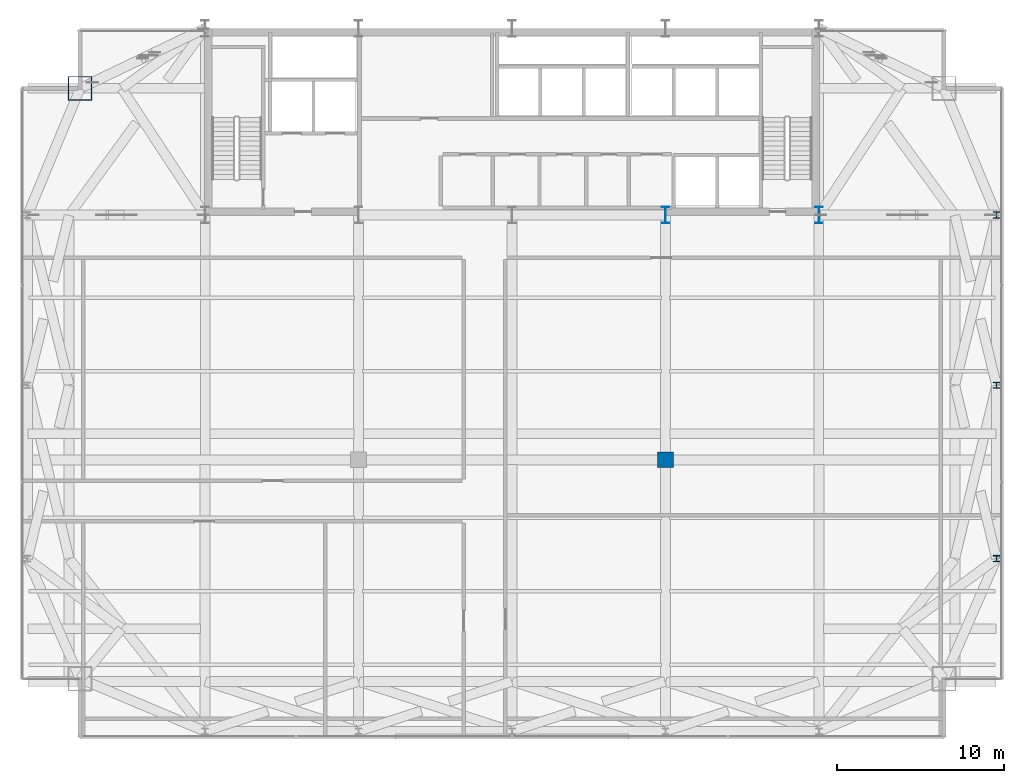
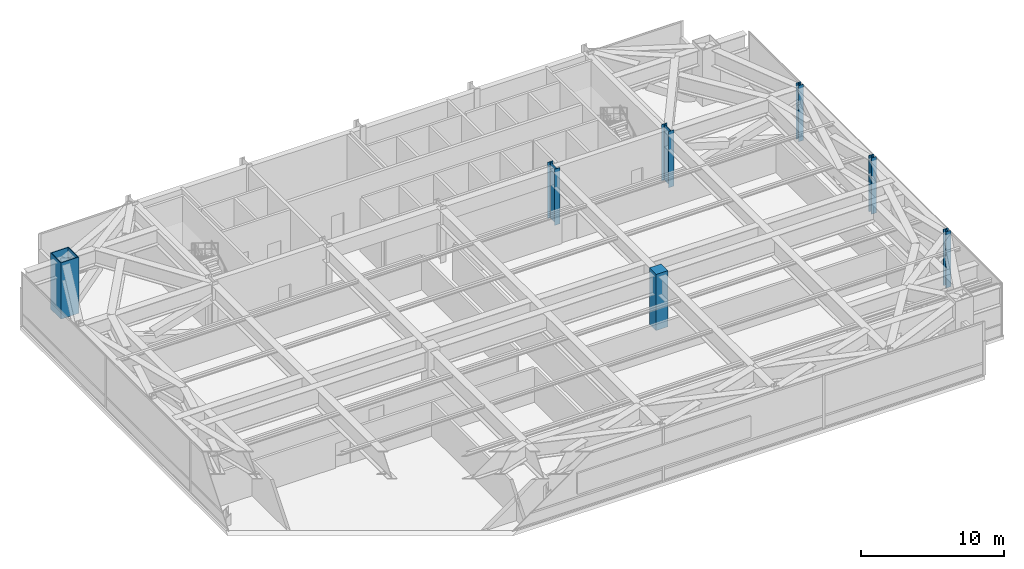
# One storey, part 2 of 32: 7 columns.
"""IFC4 building model written with IfcOpenShell, lengths in metres."""

from ifc_helpers import new_model, si_unit, direction, frame, origin, origin_2d, place, context, subcontext, project, spatial, rectangle, hollow_rectangle, i_section, extrude, source, transform, mapped, material, material_profile, profile_set, type_object, type_shapes, element, save


model = new_model("IFC4")

# Units and contexts
model_context = context("Model", 3, precision=1e-05, world=origin(), true_north=direction((0.0, 1.0)))
body_context = subcontext(model_context, "Body", "Model", "MODEL_VIEW")
ifc_project = project(units=[si_unit("LENGTHUNIT", "METRE"), si_unit("AREAUNIT", "SQUARE_METRE"), si_unit("VOLUMEUNIT", "CUBIC_METRE"), si_unit("PLANEANGLEUNIT", "RADIAN"), si_unit("MASSUNIT", "GRAM", prefix="KILO")], contexts=[model_context])

# Site, building, storey
site_placement = place(None, origin())
site = spatial("IfcSite", under=ifc_project, at=site_placement, CompositionType="ELEMENT")
building_placement = place(site_placement, origin())
building = spatial("IfcBuilding", under=site, at=building_placement, Name="Varnel Quay Broadcast Tower", CompositionType="ELEMENT")
storey_placement = place(building_placement, frame((0.0, 0.0, 141.0)))
storey = spatial("IfcBuildingStorey", under=building, at=storey_placement, Name="L34", CompositionType="ELEMENT", Elevation=141.0)

# Columns
ifc_material_1 = material(Name="Structural Steel CSA G40.21 350WT", Category="steel")
ifc_material_profile_1 = material_profile(ifc_material_1, i_section(OverallWidth=0.449951171875, OverallDepth=1.0, WebThickness=0.01611328125, FlangeThickness=0.030029296875, FilletRadius=0.01611328125, at=origin_2d()), Name="WWF1000X362")
ifc_profile_set_1 = profile_set([ifc_material_profile_1], Name="Structural Steel CSA G40.21 350WT")
column_type_1 = type_object("IfcColumnType", Name="Col_WWF1000X362", PredefinedType="COLUMN", material=ifc_profile_set_1)
shared_shape_1 = source(origin(), body_context, "Body", "SweptSolid", [
    extrude(i_section(OverallWidth=0.449951171875, OverallDepth=1.0, WebThickness=0.01611328125, FlangeThickness=0.030029296875, FilletRadius=0.01611328125, at=origin_2d()), origin(), (0.0, 0.0, 1.0), 4.800048828125),
])
type_shapes(column_type_1, [shared_shape_1])
for number, where, z_axis, x_axis, name in (
    (1, (43.199951171875, 35.60009765625, 0.0), (0.0, 0.0, 1.0), (1.0, 0.0, 0.0), "L34 Column CC-S4"),
    (2, (52.39990234375, 35.60009765625, 0.0), (0.0, 0.0, 1.0), (1.0, 0.0, 0.0), "L34 Column CC-S5"),
):
    element("IfcColumn", number, at=place(storey_placement, frame(where, z_axis=z_axis, x_axis=x_axis)), inside=storey, type_object=column_type_1, Name=name, PredefinedType="COLUMN", context=body_context, shape_type="MappedRepresentation", body=[
        mapped(shared_shape_1, transform((0.0, 0.0, 0.0), x_axis=(1.0, 0.0, 0.0), y_axis=(0.0, 1.0, 0.0), z_axis=(0.0, 0.0, 1.0), scale=1.0)),
    ])
ifc_material_profile_2 = material_profile(ifc_material_1, hollow_rectangle(XDim=1.449951171875, YDim=1.449951171875, WallThickness=0.054931640625, at=origin_2d()), Name="BOX1450X1450X55")
ifc_profile_set_2 = profile_set([ifc_material_profile_2], Name="Structural Steel CSA G40.21 350WT")
column_type_2 = type_object("IfcColumnType", Name="Col_BOX1450X1450X55", PredefinedType="COLUMN", material=ifc_profile_set_2)
shared_shape_2 = source(origin(), body_context, "Body", "SweptSolid", [
    extrude(hollow_rectangle(XDim=1.449951171875, YDim=1.449951171875, WallThickness=0.054931640625, at=origin_2d()), origin(), (0.0, 0.0, 1.0), 4.800048828125),
])
type_shapes(column_type_2, [shared_shape_2])
column_1_placement = place(storey_placement, frame((8.10009765625, 43.199951171875, 0.0), z_axis=(0.0, 0.0, 1.0), x_axis=(1.0, 0.0, 0.0)))
element("IfcColumn", 3, at=column_1_placement, inside=storey, type_object=column_type_2, Name="L34 Column MC-NW", PredefinedType="COLUMN", context=body_context, shape_type="MappedRepresentation", body=[
    mapped(shared_shape_2, transform((0.0, 0.0, 0.0), x_axis=(1.0, 0.0, 0.0), y_axis=(0.0, 1.0, 0.0), z_axis=(0.0, 0.0, 1.0), scale=1.0)),
])
ifc_material_2 = material(Name="Structural Steel CSA G40.21 350W", Category="steel")
ifc_material_profile_3 = material_profile(ifc_material_2, i_section(OverallWidth=0.39794921875, OverallDepth=0.386962890625, WebThickness=0.02099609375, FlangeThickness=0.033203125, FilletRadius=0.01806640625, at=origin_2d()), Name="W360X262")
ifc_profile_set_3 = profile_set([ifc_material_profile_3], Name="Structural Steel CSA G40.21 350W")
column_type_3 = type_object("IfcColumnType", Name="Col_W360X262", PredefinedType="COLUMN", material=ifc_profile_set_3)
shared_shape_3 = source(origin(), body_context, "Body", "SweptSolid", [
    extrude(i_section(OverallWidth=0.39794921875, OverallDepth=0.386962890625, WebThickness=0.02099609375, FlangeThickness=0.033203125, FilletRadius=0.01806640625, at=origin_2d()), origin(), (0.0, 0.0, 1.0), 4.800048828125),
])
type_shapes(column_type_3, [shared_shape_3])
for number, where, z_axis, x_axis, name in (
    (4, (63.050048828125, 15.0, 0.0), (0.0, 0.0, 1.0), (1.0, 0.0, 0.0), "L34 Column TC-E1"),
    (5, (63.050048828125, 25.39990234375, 0.0), (0.0, 0.0, 1.0), (1.0, 0.0, 0.0), "L34 Column TC-E2"),
    (6, (63.050048828125, 35.60009765625, 0.0), (0.0, 0.0, 1.0), (1.0, 0.0, 0.0), "L34 Column TC-E3"),
):
    element("IfcColumn", number, at=place(storey_placement, frame(where, z_axis=z_axis, x_axis=x_axis)), inside=storey, type_object=column_type_3, Name=name, PredefinedType="COLUMN", context=body_context, shape_type="MappedRepresentation", body=[
        mapped(shared_shape_3, transform((0.0, 0.0, 0.0), x_axis=(1.0, 0.0, 0.0), y_axis=(0.0, 1.0, 0.0), z_axis=(0.0, 0.0, 1.0), scale=1.0)),
    ])
ifc_material_3 = material(Name="Concrete CSA A23.3 C50/60", Category="concrete")
ifc_material_profile_4 = material_profile(ifc_material_3, rectangle(XDim=0.949951171875, YDim=0.949951171875, at=origin_2d()), Name="RC950X950")
ifc_profile_set_4 = profile_set([ifc_material_profile_4], Name="Concrete CSA A23.3 C50/60")
column_type_4 = type_object("IfcColumnType", Name="Col_RC950X950", PredefinedType="COLUMN", material=ifc_profile_set_4)
shared_shape_4 = source(origin(), body_context, "Body", "SweptSolid", [
    extrude(rectangle(XDim=0.949951171875, YDim=0.949951171875, at=origin_2d()), origin(), (0.0, 0.0, 1.0), 4.800048828125),
])
type_shapes(column_type_4, [shared_shape_4])
column_2_placement = place(storey_placement, frame((43.199951171875, 20.929931640625, 0.0), z_axis=(0.0, 0.0, 1.0), x_axis=(1.0, 0.0, 0.0)))
element("IfcColumn", 7, at=column_2_placement, inside=storey, type_object=column_type_4, Name="L34 Column IC-02", PredefinedType="COLUMN", context=body_context, shape_type="MappedRepresentation", body=[
    mapped(shared_shape_4, transform((0.0, 0.0, 0.0), x_axis=(1.0, 0.0, 0.0), y_axis=(0.0, 1.0, 0.0), z_axis=(0.0, 0.0, 1.0), scale=1.0)),
])

save(model, "model.ifc")
